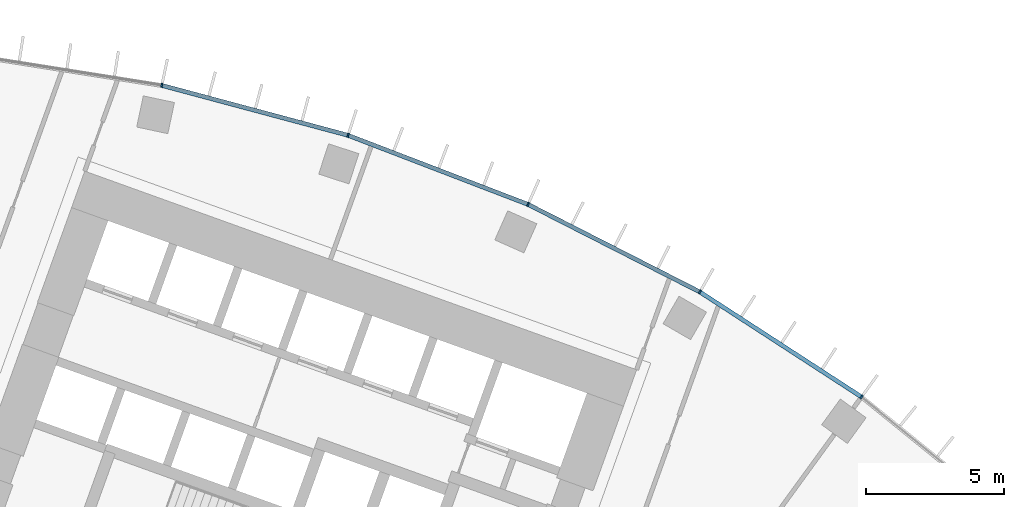
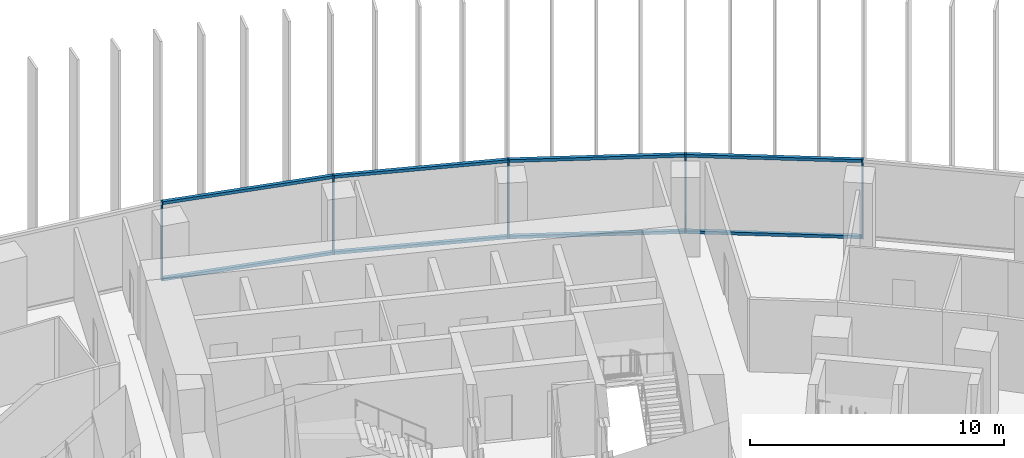
# One storey, part 12 of 23: 13 members, 1 element without a shape of its own.
"""IFC4 building model written with IfcOpenShell, lengths in metres."""

from ifc_helpers import new_model, si_unit, direction, frame, origin, origin_2d, place, context, subcontext, project, spatial, rectangle, extrude, material, layer, layer_set, material_profile, profile_set, type_object, element, aggregate, save


model = new_model("IFC4")

# Units and contexts
model_context = context("Model", 3, precision=1e-05, world=origin(), true_north=direction((0.0, 1.0)))
body_context = subcontext(model_context, "Body", "Model", "MODEL_VIEW")
ifc_project = project(units=[si_unit("LENGTHUNIT", "METRE"), si_unit("AREAUNIT", "SQUARE_METRE"), si_unit("VOLUMEUNIT", "CUBIC_METRE"), si_unit("PLANEANGLEUNIT", "RADIAN"), si_unit("MASSUNIT", "GRAM", prefix="KILO")], contexts=[model_context])

# Site, building, storey
site_placement = place(None, origin())
site = spatial("IfcSite", under=ifc_project, at=site_placement, CompositionType="ELEMENT")
building_placement = place(site_placement, origin())
building = spatial("IfcBuilding", under=site, at=building_placement, Name="Stone Belt Terrace Tower", CompositionType="ELEMENT")
storey_placement = place(building_placement, frame((0.0, 0.0, 98.39990234375)))
storey = spatial("IfcBuildingStorey", under=building, at=storey_placement, Name="L23", CompositionType="ELEMENT", Elevation=98.39990234375)

# Curtain wall, members
ifc_material = material(Name="Aluminium 6063-T6 anodised frame", Category="aluminium")
ifc_layer = layer(ifc_material, 0.14990234375)
ifc_layer_set = layer_set([ifc_layer], Name="CW-A unitised convex-face curtain wall")
curtain_wall_type = type_object("IfcCurtainWallType", Name="CW-A unitised convex-face curtain wall", PredefinedType="NOTDEFINED", material=ifc_layer_set)
curtain_wall_placement = place(storey_placement, origin())
curtain_wall = element("IfcCurtainWall", 1, at=curtain_wall_placement, inside=storey, type_object=curtain_wall_type, Name="CW-A convex face L23", PredefinedType="NOTDEFINED")
ifc_material_profile_1 = material_profile(ifc_material, rectangle(XDim=0.14990234375, YDim=0.06005859375, at=origin_2d()), Name="Aluminium 6063-T6 60x150")
ifc_profile_set_1 = profile_set([ifc_material_profile_1], Name="Aluminium 6063-T6 anodised frame")
member_type_1 = type_object("IfcMemberType", Name="CW-A mullion 60 x 150", PredefinedType="MULLION", material=ifc_profile_set_1)
member_1_placement = place(storey_placement, frame((39.1318359375, 53.8603515625, 0.0), z_axis=(0.0, 0.0, 1.0), x_axis=(-0.587785252292, -0.809016994375, 0.0)))
member_1 = element("IfcMember", 2, at=member_1_placement, type_object=member_type_1, Name="CW-A mullion 4", PredefinedType="MULLION", context=body_context, shape_type="SweptSolid", body=[
    extrude(rectangle(XDim=0.14990234375, YDim=0.06005859375, at=origin_2d()), origin(), (0.0, 0.0, 1.0), 3.800048828125),
])
member_2_placement = place(storey_placement, frame((33.28759765625, 57.65576171875, 0.0), z_axis=(0.0, 0.0, 1.0), x_axis=(-0.5, -0.866025403784, 0.0)))
member_2 = element("IfcMember", 3, at=member_2_placement, type_object=member_type_1, Name="CW-A mullion 5", PredefinedType="MULLION", context=body_context, shape_type="SweptSolid", body=[
    extrude(rectangle(XDim=0.14990234375, YDim=0.06005859375, at=origin_2d()), origin(), (0.0, 0.0, 1.0), 3.800048828125),
])
member_3_placement = place(storey_placement, frame((27.07861328125, 60.8193359375, 0.0), z_axis=(0.0, 0.0, 1.0), x_axis=(-0.406736643076, -0.913545457643, 0.0)))
member_3 = element("IfcMember", 4, at=member_3_placement, type_object=member_type_1, Name="CW-A mullion 6", PredefinedType="MULLION", context=body_context, shape_type="SweptSolid", body=[
    extrude(rectangle(XDim=0.14990234375, YDim=0.06005859375, at=origin_2d()), origin(), (0.0, 0.0, 1.0), 3.800048828125),
])
member_4_placement = place(storey_placement, frame((20.57275390625, 63.316650390625, 0.0), z_axis=(0.0, 0.0, 1.0), x_axis=(-0.309016994375, -0.951056516295, 0.0)))
member_4 = element("IfcMember", 5, at=member_4_placement, type_object=member_type_1, Name="CW-A mullion 7", PredefinedType="MULLION", context=body_context, shape_type="SweptSolid", body=[
    extrude(rectangle(XDim=0.14990234375, YDim=0.06005859375, at=origin_2d()), origin(), (0.0, 0.0, 1.0), 3.800048828125),
])
member_5_placement = place(storey_placement, frame((13.841796875, 65.120361328125, 0.0), z_axis=(0.0, 0.0, 1.0), x_axis=(-0.207911690818, -0.978147600734, 0.0)))
member_5 = element("IfcMember", 6, at=member_5_placement, type_object=member_type_1, Name="CW-A mullion 8", PredefinedType="MULLION", context=body_context, shape_type="SweptSolid", body=[
    extrude(rectangle(XDim=0.14990234375, YDim=0.06005859375, at=origin_2d()), origin(), (0.0, 0.0, 1.0), 3.800048828125),
])
ifc_material_profile_2 = material_profile(ifc_material, rectangle(XDim=0.14990234375, YDim=0.139892578125, at=origin_2d()), Name="Aluminium 6063-T6 150x140")
ifc_profile_set_2 = profile_set([ifc_material_profile_2], Name="Aluminium 6063-T6 anodised frame")
member_type_2 = type_object("IfcMemberType", Name="CW-A transom 140 x 150", PredefinedType="USERDEFINED", material=ifc_profile_set_2)
member_6_placement = place(storey_placement, frame((39.103515625, 53.87890625, 0.070068359375), z_axis=(-0.83868440714, 0.544617723931, 0.0), x_axis=(-0.544617723931, -0.83868440714, 0.0)))
member_6 = element("IfcMember", 7, at=member_6_placement, type_object=member_type_2, Name="CW-A transom 4.1", ObjectType="TRANSOM", PredefinedType="USERDEFINED", context=body_context, shape_type="SweptSolid", body=[
    extrude(rectangle(XDim=0.14990234375, YDim=0.139892578125, at=origin_2d()), origin(), (0.0, 0.0, 1.0), 6.90087890625),
])
member_7_placement = place(storey_placement, frame((39.103515625, 53.87890625, 3.72998046875), z_axis=(-0.83868440714, 0.544617723931, 0.0), x_axis=(-0.544617723931, -0.83868440714, 0.0)))
member_7 = element("IfcMember", 8, at=member_7_placement, type_object=member_type_2, Name="CW-A transom 4.2", ObjectType="TRANSOM", PredefinedType="USERDEFINED", context=body_context, shape_type="SweptSolid", body=[
    extrude(rectangle(XDim=0.14990234375, YDim=0.139892578125, at=origin_2d()), origin(), (0.0, 0.0, 1.0), 6.90087890625),
])
member_8_placement = place(storey_placement, frame((33.25732421875, 57.671142578125, 0.070068359375), z_axis=(-0.891012226264, 0.453979308613, 0.0), x_axis=(-0.453979308613, -0.891012226264, 0.0)))
member_8 = element("IfcMember", 9, at=member_8_placement, type_object=member_type_2, Name="CW-A transom 5.1", ObjectType="TRANSOM", PredefinedType="USERDEFINED", context=body_context, shape_type="SweptSolid", body=[
    extrude(rectangle(XDim=0.14990234375, YDim=0.139892578125, at=origin_2d()), origin(), (0.0, 0.0, 1.0), 6.90087890625),
])
member_9_placement = place(storey_placement, frame((33.25732421875, 57.671142578125, 3.72998046875), z_axis=(-0.891012226264, 0.453979308613, 0.0), x_axis=(-0.453979308613, -0.891012226264, 0.0)))
member_9 = element("IfcMember", 10, at=member_9_placement, type_object=member_type_2, Name="CW-A transom 5.2", ObjectType="TRANSOM", PredefinedType="USERDEFINED", context=body_context, shape_type="SweptSolid", body=[
    extrude(rectangle(XDim=0.14990234375, YDim=0.139892578125, at=origin_2d()), origin(), (0.0, 0.0, 1.0), 6.90087890625),
])
member_10_placement = place(storey_placement, frame((27.046875, 60.83154296875, 0.070068359375), z_axis=(-0.933585210269, 0.358355487146, 0.0), x_axis=(-0.358355487146, -0.933585210269, 0.0)))
member_10 = element("IfcMember", 11, at=member_10_placement, type_object=member_type_2, Name="CW-A transom 6.1", ObjectType="TRANSOM", PredefinedType="USERDEFINED", context=body_context, shape_type="SweptSolid", body=[
    extrude(rectangle(XDim=0.14990234375, YDim=0.139892578125, at=origin_2d()), origin(), (0.0, 0.0, 1.0), 6.900634765625),
])
member_11_placement = place(storey_placement, frame((27.046875, 60.83154296875, 3.72998046875), z_axis=(-0.933585210269, 0.358355487146, 0.0), x_axis=(-0.358355487146, -0.933585210269, 0.0)))
member_11 = element("IfcMember", 12, at=member_11_placement, type_object=member_type_2, Name="CW-A transom 6.2", ObjectType="TRANSOM", PredefinedType="USERDEFINED", context=body_context, shape_type="SweptSolid", body=[
    extrude(rectangle(XDim=0.14990234375, YDim=0.139892578125, at=origin_2d()), origin(), (0.0, 0.0, 1.0), 6.900634765625),
])
member_12_placement = place(storey_placement, frame((20.5400390625, 63.325439453125, 0.070068359375), z_axis=(-0.965921835863, 0.258833937117, 0.0), x_axis=(-0.258833937117, -0.965921835863, 0.0)))
member_12 = element("IfcMember", 13, at=member_12_placement, type_object=member_type_2, Name="CW-A transom 7.1", ObjectType="TRANSOM", PredefinedType="USERDEFINED", context=body_context, shape_type="SweptSolid", body=[
    extrude(rectangle(XDim=0.14990234375, YDim=0.139892578125, at=origin_2d()), origin(), (0.0, 0.0, 1.0), 6.900634765625),
])
member_13_placement = place(storey_placement, frame((20.5400390625, 63.325439453125, 3.72998046875), z_axis=(-0.965921835863, 0.258833937117, 0.0), x_axis=(-0.258833937117, -0.965921835863, 0.0)))
member_13 = element("IfcMember", 14, at=member_13_placement, type_object=member_type_2, Name="CW-A transom 7.2", ObjectType="TRANSOM", PredefinedType="USERDEFINED", context=body_context, shape_type="SweptSolid", body=[
    extrude(rectangle(XDim=0.14990234375, YDim=0.139892578125, at=origin_2d()), origin(), (0.0, 0.0, 1.0), 6.900634765625),
])
aggregate(curtain_wall, [member_1, member_2, member_3, member_4, member_5, member_6, member_7, member_8, member_9, member_10, member_11, member_12, member_13])

save(model, "model.ifc")
